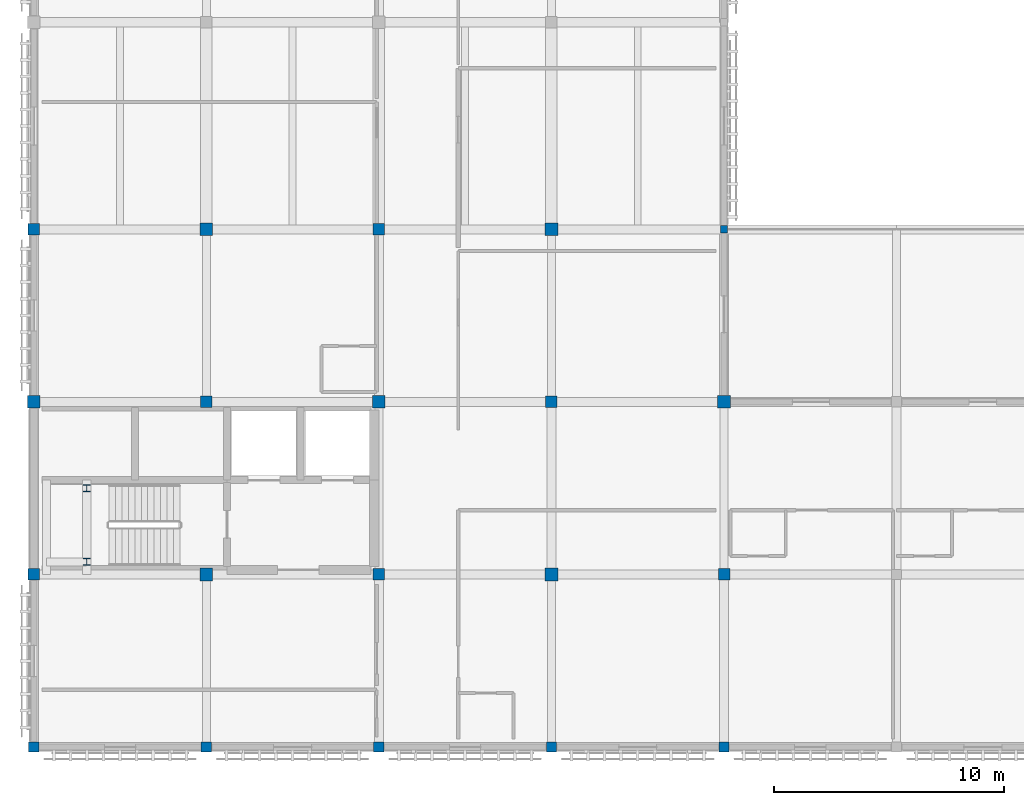
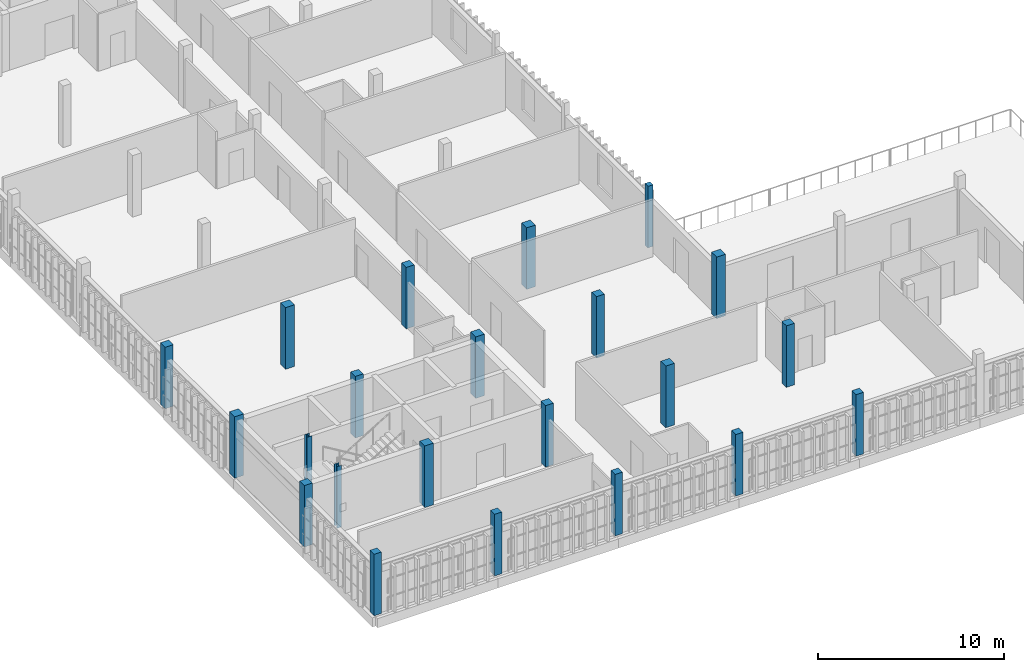
# One storey, part 1 of 17: 22 columns.
"""IFC4 building model written with IfcOpenShell, lengths in metres."""

from ifc_helpers import new_model, si_unit, direction, frame, origin, origin_2d, place, context, subcontext, project, spatial, rectangle, i_section, extrude, material, material_profile, profile_set, type_object, element, save


model = new_model("IFC4")

# Units and contexts
model_context = context("Model", 3, precision=1e-05, world=origin(), true_north=direction((0.0, 1.0)))
body_context = subcontext(model_context, "Body", "Model", "MODEL_VIEW")
ifc_project = project(units=[si_unit("LENGTHUNIT", "METRE"), si_unit("AREAUNIT", "SQUARE_METRE"), si_unit("VOLUMEUNIT", "CUBIC_METRE"), si_unit("PLANEANGLEUNIT", "RADIAN"), si_unit("MASSUNIT", "GRAM", prefix="KILO")], contexts=[model_context])

# Site, building, storey
site_placement = place(None, origin())
site = spatial("IfcSite", under=ifc_project, at=site_placement, CompositionType="ELEMENT")
building_placement = place(site_placement, origin())
building = spatial("IfcBuilding", under=site, at=building_placement, Name="Dalvernix Boulevard General Hospital", CompositionType="ELEMENT")
storey_placement = place(building_placement, frame((0.0, 0.0, 25.949951171875)))
storey = spatial("IfcBuildingStorey", under=building, at=storey_placement, Name="L06", CompositionType="ELEMENT", Elevation=25.949951171875)

# Columns
ifc_material_1 = material(Name="Concrete C40/50", Category="concrete")
ifc_material_profile_1 = material_profile(ifc_material_1, rectangle(XDim=0.550048828125, YDim=0.550048828125, at=origin_2d()), Name="RC 550x550")
ifc_profile_set_1 = profile_set([ifc_material_profile_1], Name="Concrete C40/50")
column_type_1 = type_object("IfcColumnType", Name="COL-C-08-E", PredefinedType="COLUMN", material=ifc_profile_set_1)
for number, where, z_axis, x_axis, name in (
    (1, (0.0, 15.0, 0.0), (0.0, 0.0, 1.0), (1.0, 0.0, 0.0), "L06 column 1C"),
    (2, (30.0, 15.0, 0.0), (0.0, 0.0, 1.0), (1.0, 0.0, 0.0), "L06 column 5C"),
):
    element("IfcColumn", number, at=place(storey_placement, frame(where, z_axis=z_axis, x_axis=x_axis)), inside=storey, type_object=column_type_1, Name=name, PredefinedType="COLUMN", context=body_context, shape_type="SweptSolid", body=[
        extrude(rectangle(XDim=0.550048828125, YDim=0.550048828125, at=origin_2d()), origin(), (0.0, 0.0, 1.0), 4.050048828125),
    ])
ifc_material_profile_2 = material_profile(ifc_material_1, rectangle(XDim=0.550048828125, YDim=0.550048828125, at=origin_2d()), Name="RC 550x550")
ifc_profile_set_2 = profile_set([ifc_material_profile_2], Name="Concrete C40/50")
column_type_2 = type_object("IfcColumnType", Name="COL-C-08-I", PredefinedType="COLUMN", material=ifc_profile_set_2)
for number, where, z_axis, x_axis, name in (
    (3, (7.5, 7.5, 0.0), (0.0, 0.0, 1.0), (1.0, 0.0, 0.0), "L06 column 2B"),
    (4, (7.5, 22.5, 0.0), (0.0, 0.0, 1.0), (1.0, 0.0, 0.0), "L06 column 2D"),
    (5, (15.0, 15.0, 0.0), (0.0, 0.0, 1.0), (1.0, 0.0, 0.0), "L06 column 3C"),
    (6, (22.5, 7.5, 0.0), (0.0, 0.0, 1.0), (1.0, 0.0, 0.0), "L06 column 4B"),
    (7, (22.5, 22.5, 0.0), (0.0, 0.0, 1.0), (1.0, 0.0, 0.0), "L06 column 4D"),
):
    element("IfcColumn", number, at=place(storey_placement, frame(where, z_axis=z_axis, x_axis=x_axis)), inside=storey, type_object=column_type_2, Name=name, PredefinedType="COLUMN", context=body_context, shape_type="SweptSolid", body=[
        extrude(rectangle(XDim=0.550048828125, YDim=0.550048828125, at=origin_2d()), origin(), (0.0, 0.0, 1.0), 4.050048828125),
    ])
ifc_material_profile_3 = material_profile(ifc_material_1, rectangle(XDim=0.5, YDim=0.5, at=origin_2d()), Name="RC 500x500")
ifc_profile_set_3 = profile_set([ifc_material_profile_3], Name="Concrete C40/50")
column_type_3 = type_object("IfcColumnType", Name="COL-C-09-E", PredefinedType="COLUMN", material=ifc_profile_set_3)
for number, where, z_axis, x_axis, name in (
    (8, (0.0, 7.5, 0.0), (0.0, 0.0, 1.0), (1.0, 0.0, 0.0), "L06 column 1B"),
    (9, (0.0, 22.5, 0.0), (0.0, 0.0, 1.0), (1.0, 0.0, 0.0), "L06 column 1D"),
):
    element("IfcColumn", number, at=place(storey_placement, frame(where, z_axis=z_axis, x_axis=x_axis)), inside=storey, type_object=column_type_3, Name=name, PredefinedType="COLUMN", context=body_context, shape_type="SweptSolid", body=[
        extrude(rectangle(XDim=0.5, YDim=0.5, at=origin_2d()), origin(), (0.0, 0.0, 1.0), 4.050048828125),
    ])
ifc_material_profile_4 = material_profile(ifc_material_1, rectangle(XDim=0.5, YDim=0.5, at=origin_2d()), Name="RC 500x500")
ifc_profile_set_4 = profile_set([ifc_material_profile_4], Name="Concrete C40/50")
column_type_4 = type_object("IfcColumnType", Name="COL-C-09-I", PredefinedType="COLUMN", material=ifc_profile_set_4)
for number, where, z_axis, x_axis, name in (
    (10, (7.5, 15.0, 0.0), (0.0, 0.0, 1.0), (1.0, 0.0, 0.0), "L06 column 2C"),
    (11, (15.0, 7.5, 0.0), (0.0, 0.0, 1.0), (1.0, 0.0, 0.0), "L06 column 3B"),
    (12, (15.0, 22.5, 0.0), (0.0, 0.0, 1.0), (1.0, 0.0, 0.0), "L06 column 3D"),
    (13, (22.5, 15.0, 0.0), (0.0, 0.0, 1.0), (1.0, 0.0, 0.0), "L06 column 4C"),
    (14, (30.0, 7.5, 0.0), (0.0, 0.0, 1.0), (1.0, 0.0, 0.0), "L06 column 5B"),
):
    element("IfcColumn", number, at=place(storey_placement, frame(where, z_axis=z_axis, x_axis=x_axis)), inside=storey, type_object=column_type_4, Name=name, PredefinedType="COLUMN", context=body_context, shape_type="SweptSolid", body=[
        extrude(rectangle(XDim=0.5, YDim=0.5, at=origin_2d()), origin(), (0.0, 0.0, 1.0), 4.050048828125),
    ])
ifc_material_profile_5 = material_profile(ifc_material_1, rectangle(XDim=0.449951171875, YDim=0.449951171875, at=origin_2d()), Name="RC 450x450")
ifc_profile_set_5 = profile_set([ifc_material_profile_5], Name="Concrete C40/50")
column_type_5 = type_object("IfcColumnType", Name="COL-C-10-E", PredefinedType="COLUMN", material=ifc_profile_set_5)
for number, where, z_axis, x_axis, name in (
    (15, (0.0, 0.0, 0.0), (0.0, 0.0, 1.0), (1.0, 0.0, 0.0), "L06 column 1A"),
    (16, (7.5, 0.0, 0.0), (0.0, 0.0, 1.0), (1.0, 0.0, 0.0), "L06 column 2A"),
    (17, (15.0, 0.0, 0.0), (0.0, 0.0, 1.0), (1.0, 0.0, 0.0), "L06 column 3A"),
    (18, (22.5, 0.0, 0.0), (0.0, 0.0, 1.0), (1.0, 0.0, 0.0), "L06 column 4A"),
    (19, (30.0, 0.0, 0.0), (0.0, 0.0, 1.0), (1.0, 0.0, 0.0), "L06 column 5A"),
):
    element("IfcColumn", number, at=place(storey_placement, frame(where, z_axis=z_axis, x_axis=x_axis)), inside=storey, type_object=column_type_5, Name=name, PredefinedType="COLUMN", context=body_context, shape_type="SweptSolid", body=[
        extrude(rectangle(XDim=0.449951171875, YDim=0.449951171875, at=origin_2d()), origin(), (0.0, 0.0, 1.0), 4.050048828125),
    ])
ifc_material_2 = material(Name="Steel S355", Category="steel")
ifc_material_profile_6 = material_profile(ifc_material_2, i_section(OverallWidth=0.300048828125, OverallDepth=0.300048828125, WebThickness=0.010986328125, FlangeThickness=0.01904296875, FilletRadius=0.027099609375, at=origin_2d()), Name="HEB 300")
ifc_profile_set_6 = profile_set([ifc_material_profile_6], Name="Steel S355")
column_type_6 = type_object("IfcColumnType", Name="COL-C-18", PredefinedType="COLUMN", material=ifc_profile_set_6)
for number, where, z_axis, x_axis, name in (
    (20, (2.300048828125, 8.050048828125, 0.0), (0.0, 0.0, 1.0), (1.0, 0.0, 0.0), "L06 Core C1 stair landing column 1"),
    (21, (2.300048828125, 11.25, 0.0), (0.0, 0.0, 1.0), (1.0, 0.0, 0.0), "L06 Core C1 stair landing column 2"),
):
    element("IfcColumn", number, at=place(storey_placement, frame(where, z_axis=z_axis, x_axis=x_axis)), inside=storey, type_object=column_type_6, Name=name, PredefinedType="COLUMN", context=body_context, shape_type="SweptSolid", body=[
        extrude(i_section(OverallWidth=0.300048828125, OverallDepth=0.300048828125, WebThickness=0.010986328125, FlangeThickness=0.01904296875, FilletRadius=0.027099609375, at=origin_2d()), origin(), (0.0, 0.0, 1.0), 4.050048828125),
    ])
ifc_material_3 = material(Name="Glulam GL28h", Category="wood")
ifc_material_profile_7 = material_profile(ifc_material_3, rectangle(XDim=0.320068359375, YDim=0.320068359375, at=origin_2d()), Name="GL28h 320x320")
ifc_profile_set_7 = profile_set([ifc_material_profile_7], Name="Glulam GL28h")
column_type_7 = type_object("IfcColumnType", Name="COL-C-20-E", PredefinedType="COLUMN", material=ifc_profile_set_7)
column_placement = place(storey_placement, frame((30.0, 22.5, 0.0), z_axis=(0.0, 0.0, 1.0), x_axis=(1.0, 0.0, 0.0)))
element("IfcColumn", 22, at=column_placement, inside=storey, type_object=column_type_7, Name="L06 column 5D", PredefinedType="COLUMN", context=body_context, shape_type="SweptSolid", body=[
    extrude(rectangle(XDim=0.320068359375, YDim=0.320068359375, at=origin_2d()), origin(), (0.0, 0.0, 1.0), 4.050048828125),
])

save(model, "model.ifc")
